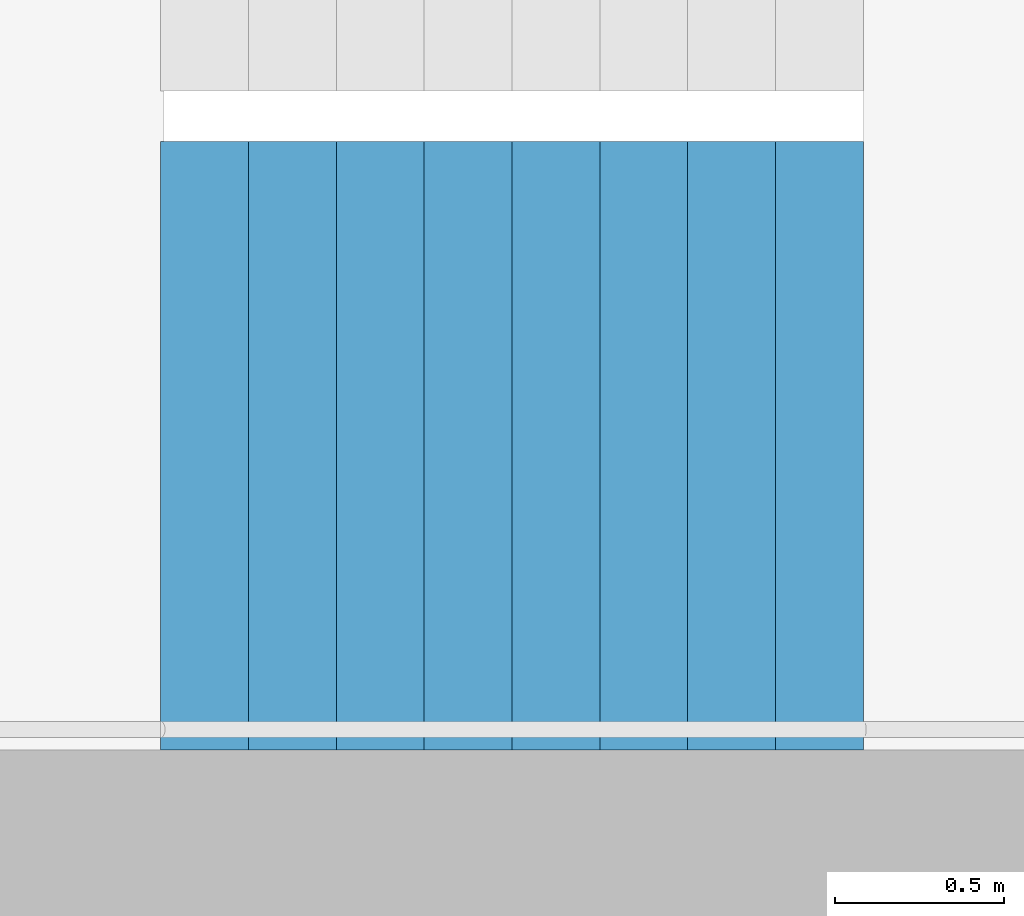
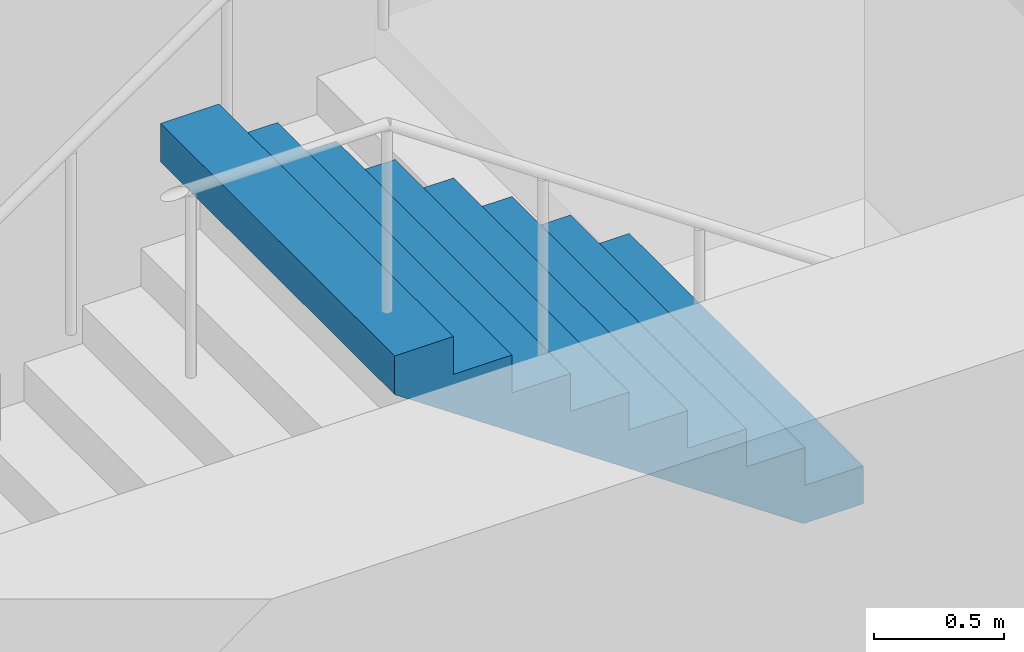
# One storey, part 26 of 37: 1 stair flight, 1 element without a shape of its own.
"""IFC4 building model written with IfcOpenShell, lengths in metres."""

from ifc_helpers import new_model, si_unit, direction, frame, origin, place, context, subcontext, project, spatial, triangles, material, type_object, element, aggregate, save


model = new_model("IFC4")

# Units and contexts
model_context = context("Model", 3, precision=1e-05, world=origin(), true_north=direction((0.0, 1.0)))
body_context = subcontext(model_context, "Body", "Model", "MODEL_VIEW")
ifc_project = project(units=[si_unit("LENGTHUNIT", "METRE"), si_unit("AREAUNIT", "SQUARE_METRE"), si_unit("VOLUMEUNIT", "CUBIC_METRE"), si_unit("PLANEANGLEUNIT", "RADIAN"), si_unit("MASSUNIT", "GRAM", prefix="KILO")], contexts=[model_context])

# Site, building, storey
site_placement = place(None, origin())
site = spatial("IfcSite", under=ifc_project, at=site_placement, CompositionType="ELEMENT")
building_placement = place(site_placement, origin())
building = spatial("IfcBuilding", under=site, at=building_placement, Name="Hakoniwa Tower and Hamabe Station Hall", CompositionType="ELEMENT")
storey_placement = place(building_placement, frame((0.0, 0.0, 39.0)))
storey = spatial("IfcBuildingStorey", under=building, at=storey_placement, Name="L10", CompositionType="ELEMENT", Elevation=39.0)

# Stair, stair flight
ifc_material_1 = material(Name="Concrete C40", Category="concrete")
stair_type = type_object("IfcStairType", Name="ESCAPE STAIR 1800", PredefinedType="HALF_TURN_STAIR", material=ifc_material_1)
stair_placement = place(storey_placement, origin())
stair = element("IfcStair", 1, at=stair_placement, inside=storey, type_object=stair_type, Name="Escape stair ST-4 L10", PredefinedType="HALF_TURN_STAIR")
ifc_material_2 = material(Name="Concrete C40", Category="concrete")
stair_flight_type = type_object("IfcStairFlightType", Name="STAIR FLIGHT 1800", PredefinedType="STRAIGHT", material=ifc_material_2)
stair_flight_placement = place(storey_placement, frame((25.47998046875, -6.60009765625, 1.60009765625), z_axis=(0.0, 0.0, 1.0), x_axis=(-1.0, 0.0, 0.0)))
stair_flight = element("IfcStairFlight", 2, at=stair_flight_placement, type_object=stair_flight_type, Name="ST-4 flight 2", NumberOfRisers=9, NumberOfTreads=8, PredefinedType="STRAIGHT", RiserHeight=0.177777778, TreadLength=0.26, context=body_context, shape_type="Tessellation", body=[
    triangles([(0.0, 0.89990234375, 0.0), (0.260009765625, 0.89990234375, 0.0), (0.265625, 0.89990234375, 0.0), (0.52001953125, 0.89990234375, 0.174072265625), (0.780029296875, 0.89990234375, 0.351806640625), (1.0400390625, 0.89990234375, 0.529541015625), (1.300048828125, 0.89990234375, 0.707275390625), (1.56005859375, 0.89990234375, 0.885009765625), (1.820068359375, 0.89990234375, 1.062744140625), (2.080078125, 0.89990234375, 1.24072265625), (2.080078125, 0.89990234375, 1.422119140625), (1.820068359375, 0.89990234375, 1.422119140625), (1.820068359375, 0.89990234375, 1.244384765625), (1.56005859375, 0.89990234375, 1.244384765625), (1.56005859375, 0.89990234375, 1.066650390625), (1.300048828125, 0.89990234375, 1.066650390625), (1.300048828125, 0.89990234375, 0.888916015625), (1.0400390625, 0.89990234375, 0.888916015625), (1.0400390625, 0.89990234375, 0.711181640625), (0.780029296875, 0.89990234375, 0.711181640625), (0.780029296875, 0.89990234375, 0.533447265625), (0.52001953125, 0.89990234375, 0.533447265625), (0.52001953125, 0.89990234375, 0.35546875), (0.265625, 0.89990234375, 0.35546875), (0.260009765625, 0.89990234375, 0.35546875), (0.260009765625, 0.89990234375, 0.177734375), (0.0, 0.89990234375, 0.177734375), (0.0, 0.06005859375, 0.0), (0.260009765625, 0.06005859375, 0.0), (0.265625, 0.06005859375, 0.0), (0.52001953125, 0.06005859375, 0.174072265625), (0.780029296875, 0.06005859375, 0.351806640625), (1.0400390625, 0.06005859375, 0.529541015625), (1.300048828125, 0.06005859375, 0.707275390625), (1.56005859375, 0.06005859375, 0.885009765625), (1.820068359375, 0.06005859375, 1.062744140625), (2.080078125, 0.06005859375, 1.24072265625), (2.080078125, 0.06005859375, 1.422119140625), (1.820068359375, 0.06005859375, 1.422119140625), (1.820068359375, 0.06005859375, 1.244384765625), (1.56005859375, 0.06005859375, 1.244384765625), (1.56005859375, 0.06005859375, 1.066650390625), (1.300048828125, 0.06005859375, 1.066650390625), (1.300048828125, 0.06005859375, 0.888916015625), (1.0400390625, 0.06005859375, 0.888916015625), (1.0400390625, 0.06005859375, 0.711181640625), (0.780029296875, 0.06005859375, 0.711181640625), (0.780029296875, 0.06005859375, 0.533447265625), (0.52001953125, 0.06005859375, 0.533447265625), (0.52001953125, 0.06005859375, 0.35546875), (0.265625, 0.06005859375, 0.35546875), (0.260009765625, 0.06005859375, 0.35546875), (0.260009765625, 0.06005859375, 0.177734375), (0.0, 0.06005859375, 0.177734375), (0.0, 0.04296875, 0.0), (0.260009765625, 0.04296875, 0.0), (0.265625, 0.04296875, 0.0), (0.52001953125, 0.04296875, 0.174072265625), (0.780029296875, 0.04296875, 0.351806640625), (1.0400390625, 0.04296875, 0.529541015625), (1.300048828125, 0.04296875, 0.707275390625), (1.56005859375, 0.04296875, 0.885009765625), (1.820068359375, 0.04296875, 1.062744140625), (2.080078125, 0.04296875, 1.24072265625), (2.080078125, 0.04296875, 1.422119140625), (1.820068359375, 0.04296875, 1.422119140625), (1.820068359375, 0.04296875, 1.244384765625), (1.56005859375, 0.04296875, 1.244384765625), (1.56005859375, 0.04296875, 1.066650390625), (1.300048828125, 0.04296875, 1.066650390625), (1.300048828125, 0.04296875, 0.888916015625), (1.0400390625, 0.04296875, 0.888916015625), (1.0400390625, 0.04296875, 0.711181640625), (0.780029296875, 0.04296875, 0.711181640625), (0.780029296875, 0.04296875, 0.533447265625), (0.52001953125, 0.04296875, 0.533447265625), (0.52001953125, 0.04296875, 0.35546875), (0.265625, 0.04296875, 0.35546875), (0.260009765625, 0.04296875, 0.35546875), (0.260009765625, 0.04296875, 0.177734375), (0.0, 0.04296875, 0.177734375), (0.0, 0.025634765625, 0.0), (0.260009765625, 0.025634765625, 0.0), (0.265625, 0.025634765625, 0.0), (0.52001953125, 0.025634765625, 0.174072265625), (0.780029296875, 0.025634765625, 0.351806640625), (1.0400390625, 0.025634765625, 0.529541015625), (1.300048828125, 0.025634765625, 0.707275390625), (1.56005859375, 0.025634765625, 0.885009765625), (1.820068359375, 0.025634765625, 1.062744140625), (2.080078125, 0.025634765625, 1.24072265625), (2.080078125, 0.025634765625, 1.422119140625), (1.820068359375, 0.025634765625, 1.422119140625), (1.820068359375, 0.025634765625, 1.244384765625), (1.56005859375, 0.025634765625, 1.244384765625), (1.56005859375, 0.025634765625, 1.066650390625), (1.300048828125, 0.025634765625, 1.066650390625), (1.300048828125, 0.025634765625, 0.888916015625), (1.0400390625, 0.025634765625, 0.888916015625), (1.0400390625, 0.025634765625, 0.711181640625), (0.780029296875, 0.025634765625, 0.711181640625), (0.780029296875, 0.025634765625, 0.533447265625), (0.52001953125, 0.025634765625, 0.533447265625), (0.52001953125, 0.025634765625, 0.35546875), (0.265625, 0.025634765625, 0.35546875), (0.260009765625, 0.025634765625, 0.35546875), (0.260009765625, 0.025634765625, 0.177734375), (0.0, 0.025634765625, 0.177734375), (0.0, 0.008544921875, 0.0), (0.260009765625, 0.008544921875, 0.0), (0.265625, 0.008544921875, 0.0), (0.52001953125, 0.008544921875, 0.174072265625), (0.780029296875, 0.008544921875, 0.351806640625), (1.0400390625, 0.008544921875, 0.529541015625), (1.300048828125, 0.008544921875, 0.707275390625), (1.56005859375, 0.008544921875, 0.885009765625), (1.820068359375, 0.008544921875, 1.062744140625), (2.080078125, 0.008544921875, 1.24072265625), (2.080078125, 0.008544921875, 1.422119140625), (1.820068359375, 0.008544921875, 1.422119140625), (1.820068359375, 0.008544921875, 1.244384765625), (1.56005859375, 0.008544921875, 1.244384765625), (1.56005859375, 0.008544921875, 1.066650390625), (1.300048828125, 0.008544921875, 1.066650390625), (1.300048828125, 0.008544921875, 0.888916015625), (1.0400390625, 0.008544921875, 0.888916015625), (1.0400390625, 0.008544921875, 0.711181640625), (0.780029296875, 0.008544921875, 0.711181640625), (0.780029296875, 0.008544921875, 0.533447265625), (0.52001953125, 0.008544921875, 0.533447265625), (0.52001953125, 0.008544921875, 0.35546875), (0.265625, 0.008544921875, 0.35546875), (0.260009765625, 0.008544921875, 0.35546875), (0.260009765625, 0.008544921875, 0.177734375), (0.0, 0.008544921875, 0.177734375), (0.0, -0.008544921875, 0.0), (0.260009765625, -0.008544921875, 0.0), (0.265625, -0.008544921875, 0.0), (0.52001953125, -0.008544921875, 0.174072265625), (0.780029296875, -0.008544921875, 0.351806640625), (1.0400390625, -0.008544921875, 0.529541015625), (1.300048828125, -0.008544921875, 0.707275390625), (1.56005859375, -0.008544921875, 0.885009765625), (1.820068359375, -0.008544921875, 1.062744140625), (2.080078125, -0.008544921875, 1.24072265625), (2.080078125, -0.008544921875, 1.422119140625), (1.820068359375, -0.008544921875, 1.422119140625), (1.820068359375, -0.008544921875, 1.244384765625), (1.56005859375, -0.008544921875, 1.244384765625), (1.56005859375, -0.008544921875, 1.066650390625), (1.300048828125, -0.008544921875, 1.066650390625), (1.300048828125, -0.008544921875, 0.888916015625), (1.0400390625, -0.008544921875, 0.888916015625), (1.0400390625, -0.008544921875, 0.711181640625), (0.780029296875, -0.008544921875, 0.711181640625), (0.780029296875, -0.008544921875, 0.533447265625), (0.52001953125, -0.008544921875, 0.533447265625), (0.52001953125, -0.008544921875, 0.35546875), (0.265625, -0.008544921875, 0.35546875), (0.260009765625, -0.008544921875, 0.35546875), (0.260009765625, -0.008544921875, 0.177734375), (0.0, -0.008544921875, 0.177734375), (0.0, -0.025634765625, 0.0), (0.260009765625, -0.025634765625, 0.0), (0.265625, -0.025634765625, 0.0), (0.52001953125, -0.025634765625, 0.174072265625), (0.780029296875, -0.025634765625, 0.351806640625), (1.0400390625, -0.025634765625, 0.529541015625), (1.300048828125, -0.025634765625, 0.707275390625), (1.56005859375, -0.025634765625, 0.885009765625), (1.820068359375, -0.025634765625, 1.062744140625), (2.080078125, -0.025634765625, 1.24072265625), (2.080078125, -0.025634765625, 1.422119140625), (1.820068359375, -0.025634765625, 1.422119140625), (1.820068359375, -0.025634765625, 1.244384765625), (1.56005859375, -0.025634765625, 1.244384765625), (1.56005859375, -0.025634765625, 1.066650390625), (1.300048828125, -0.025634765625, 1.066650390625), (1.300048828125, -0.025634765625, 0.888916015625), (1.0400390625, -0.025634765625, 0.888916015625), (1.0400390625, -0.025634765625, 0.711181640625), (0.780029296875, -0.025634765625, 0.711181640625), (0.780029296875, -0.025634765625, 0.533447265625), (0.52001953125, -0.025634765625, 0.533447265625), (0.52001953125, -0.025634765625, 0.35546875), (0.265625, -0.025634765625, 0.35546875), (0.260009765625, -0.025634765625, 0.35546875), (0.260009765625, -0.025634765625, 0.177734375), (0.0, -0.025634765625, 0.177734375), (0.0, -0.04296875, 0.0), (0.260009765625, -0.04296875, 0.0), (0.265625, -0.04296875, 0.0), (0.52001953125, -0.04296875, 0.174072265625), (0.780029296875, -0.04296875, 0.351806640625), (1.0400390625, -0.04296875, 0.529541015625), (1.300048828125, -0.04296875, 0.707275390625), (1.56005859375, -0.04296875, 0.885009765625), (1.820068359375, -0.04296875, 1.062744140625), (2.080078125, -0.04296875, 1.24072265625), (2.080078125, -0.04296875, 1.422119140625), (1.820068359375, -0.04296875, 1.422119140625), (1.820068359375, -0.04296875, 1.244384765625), (1.56005859375, -0.04296875, 1.244384765625), (1.56005859375, -0.04296875, 1.066650390625), (1.300048828125, -0.04296875, 1.066650390625), (1.300048828125, -0.04296875, 0.888916015625), (1.0400390625, -0.04296875, 0.888916015625), (1.0400390625, -0.04296875, 0.711181640625), (0.780029296875, -0.04296875, 0.711181640625), (0.780029296875, -0.04296875, 0.533447265625), (0.52001953125, -0.04296875, 0.533447265625), (0.52001953125, -0.04296875, 0.35546875), (0.265625, -0.04296875, 0.35546875), (0.260009765625, -0.04296875, 0.35546875), (0.260009765625, -0.04296875, 0.177734375), (0.0, -0.04296875, 0.177734375), (0.0, -0.06005859375, 0.0), (0.260009765625, -0.06005859375, 0.0), (0.265625, -0.06005859375, 0.0), (0.52001953125, -0.06005859375, 0.174072265625), (0.780029296875, -0.06005859375, 0.351806640625), (1.0400390625, -0.06005859375, 0.529541015625), (1.300048828125, -0.06005859375, 0.707275390625), (1.56005859375, -0.06005859375, 0.885009765625), (1.820068359375, -0.06005859375, 1.062744140625), (2.080078125, -0.06005859375, 1.24072265625), (2.080078125, -0.06005859375, 1.422119140625), (1.820068359375, -0.06005859375, 1.422119140625), (1.820068359375, -0.06005859375, 1.244384765625), (1.56005859375, -0.06005859375, 1.244384765625), (1.56005859375, -0.06005859375, 1.066650390625), (1.300048828125, -0.06005859375, 1.066650390625), (1.300048828125, -0.06005859375, 0.888916015625), (1.0400390625, -0.06005859375, 0.888916015625), (1.0400390625, -0.06005859375, 0.711181640625), (0.780029296875, -0.06005859375, 0.711181640625), (0.780029296875, -0.06005859375, 0.533447265625), (0.52001953125, -0.06005859375, 0.533447265625), (0.52001953125, -0.06005859375, 0.35546875), (0.265625, -0.06005859375, 0.35546875), (0.260009765625, -0.06005859375, 0.35546875), (0.260009765625, -0.06005859375, 0.177734375), (0.0, -0.06005859375, 0.177734375), (0.0, -0.89990234375, 0.0), (0.260009765625, -0.89990234375, 0.0), (0.265625, -0.89990234375, 0.0), (0.52001953125, -0.89990234375, 0.174072265625), (0.780029296875, -0.89990234375, 0.351806640625), (1.0400390625, -0.89990234375, 0.529541015625), (1.300048828125, -0.89990234375, 0.707275390625), (1.56005859375, -0.89990234375, 0.885009765625), (1.820068359375, -0.89990234375, 1.062744140625), (2.080078125, -0.89990234375, 1.24072265625), (2.080078125, -0.89990234375, 1.422119140625), (1.820068359375, -0.89990234375, 1.422119140625), (1.820068359375, -0.89990234375, 1.244384765625), (1.56005859375, -0.89990234375, 1.244384765625), (1.56005859375, -0.89990234375, 1.066650390625), (1.300048828125, -0.89990234375, 1.066650390625), (1.300048828125, -0.89990234375, 0.888916015625), (1.0400390625, -0.89990234375, 0.888916015625), (1.0400390625, -0.89990234375, 0.711181640625), (0.780029296875, -0.89990234375, 0.711181640625), (0.780029296875, -0.89990234375, 0.533447265625), (0.52001953125, -0.89990234375, 0.533447265625), (0.52001953125, -0.89990234375, 0.35546875), (0.265625, -0.89990234375, 0.35546875), (0.260009765625, -0.89990234375, 0.35546875), (0.260009765625, -0.89990234375, 0.177734375), (0.0, -0.89990234375, 0.177734375)], [[2, 27, 26], [245, 269, 270], [2, 1, 27], [245, 270, 244], [3, 25, 24], [246, 267, 268], [3, 26, 25], [246, 268, 269], [3, 2, 26], [246, 269, 245], [4, 24, 23], [247, 266, 267], [4, 3, 24], [247, 267, 246], [5, 22, 21], [248, 264, 265], [5, 23, 22], [248, 265, 266], [5, 4, 23], [248, 266, 247], [6, 20, 19], [249, 262, 263], [6, 21, 20], [249, 263, 264], [6, 5, 21], [249, 264, 248], [7, 18, 17], [250, 260, 261], [7, 19, 18], [250, 261, 262], [7, 6, 19], [250, 262, 249], [8, 16, 15], [251, 258, 259], [8, 17, 16], [251, 259, 260], [8, 7, 17], [251, 260, 250], [9, 14, 13], [252, 256, 257], [9, 15, 14], [252, 257, 258], [9, 8, 15], [252, 258, 251], [10, 12, 11], [253, 254, 255], [10, 13, 12], [253, 255, 256], [10, 9, 13], [253, 256, 252], [1, 2, 29], [1, 29, 28], [28, 29, 56], [28, 56, 55], [55, 56, 83], [55, 83, 82], [82, 83, 110], [82, 110, 109], [109, 110, 137], [109, 137, 136], [136, 137, 164], [136, 164, 163], [163, 164, 191], [163, 191, 190], [190, 191, 218], [190, 218, 217], [217, 218, 245], [217, 245, 244], [2, 3, 30], [2, 30, 29], [29, 30, 57], [29, 57, 56], [56, 57, 84], [56, 84, 83], [83, 84, 111], [83, 111, 110], [110, 111, 138], [110, 138, 137], [137, 138, 165], [137, 165, 164], [164, 165, 192], [164, 192, 191], [191, 192, 219], [191, 219, 218], [218, 219, 246], [218, 246, 245], [3, 4, 31], [3, 31, 30], [30, 31, 58], [30, 58, 57], [57, 58, 85], [57, 85, 84], [84, 85, 112], [84, 112, 111], [111, 112, 139], [111, 139, 138], [138, 139, 166], [138, 166, 165], [165, 166, 193], [165, 193, 192], [192, 193, 220], [192, 220, 219], [219, 220, 247], [219, 247, 246], [4, 5, 32], [4, 32, 31], [31, 32, 59], [31, 59, 58], [58, 59, 86], [58, 86, 85], [85, 86, 113], [85, 113, 112], [112, 113, 140], [112, 140, 139], [139, 140, 167], [139, 167, 166], [166, 167, 194], [166, 194, 193], [193, 194, 221], [193, 221, 220], [220, 221, 248], [220, 248, 247], [5, 6, 33], [5, 33, 32], [32, 33, 60], [32, 60, 59], [59, 60, 87], [59, 87, 86], [86, 87, 114], [86, 114, 113], [113, 114, 141], [113, 141, 140], [140, 141, 168], [140, 168, 167], [167, 168, 195], [167, 195, 194], [194, 195, 222], [194, 222, 221], [221, 222, 249], [221, 249, 248], [6, 7, 34], [6, 34, 33], [33, 34, 61], [33, 61, 60], [60, 61, 88], [60, 88, 87], [87, 88, 115], [87, 115, 114], [114, 115, 142], [114, 142, 141], [141, 142, 169], [141, 169, 168], [168, 169, 196], [168, 196, 195], [195, 196, 223], [195, 223, 222], [222, 223, 250], [222, 250, 249], [7, 8, 35], [7, 35, 34], [34, 35, 62], [34, 62, 61], [61, 62, 89], [61, 89, 88], [88, 89, 116], [88, 116, 115], [115, 116, 143], [115, 143, 142], [142, 143, 170], [142, 170, 169], [169, 170, 197], [169, 197, 196], [196, 197, 224], [196, 224, 223], [223, 224, 251], [223, 251, 250], [8, 9, 36], [8, 36, 35], [35, 36, 63], [35, 63, 62], [62, 63, 90], [62, 90, 89], [89, 90, 117], [89, 117, 116], [116, 117, 144], [116, 144, 143], [143, 144, 171], [143, 171, 170], [170, 171, 198], [170, 198, 197], [197, 198, 225], [197, 225, 224], [224, 225, 252], [224, 252, 251], [9, 10, 37], [9, 37, 36], [36, 37, 64], [36, 64, 63], [63, 64, 91], [63, 91, 90], [90, 91, 118], [90, 118, 117], [117, 118, 145], [117, 145, 144], [144, 145, 172], [144, 172, 171], [171, 172, 199], [171, 199, 198], [198, 199, 226], [198, 226, 225], [225, 226, 253], [225, 253, 252], [10, 11, 38], [10, 38, 37], [37, 38, 65], [37, 65, 64], [64, 65, 92], [64, 92, 91], [91, 92, 119], [91, 119, 118], [118, 119, 146], [118, 146, 145], [145, 146, 173], [145, 173, 172], [172, 173, 200], [172, 200, 199], [199, 200, 227], [199, 227, 226], [226, 227, 254], [226, 254, 253], [11, 12, 39], [11, 39, 38], [38, 39, 66], [38, 66, 65], [65, 66, 93], [65, 93, 92], [92, 93, 120], [92, 120, 119], [119, 120, 147], [119, 147, 146], [146, 147, 174], [146, 174, 173], [173, 174, 201], [173, 201, 200], [200, 201, 228], [200, 228, 227], [227, 228, 255], [227, 255, 254], [12, 13, 40], [12, 40, 39], [39, 40, 67], [39, 67, 66], [66, 67, 94], [66, 94, 93], [93, 94, 121], [93, 121, 120], [120, 121, 148], [120, 148, 147], [147, 148, 175], [147, 175, 174], [174, 175, 202], [174, 202, 201], [201, 202, 229], [201, 229, 228], [228, 229, 256], [228, 256, 255], [13, 14, 41], [13, 41, 40], [40, 41, 68], [40, 68, 67], [67, 68, 95], [67, 95, 94], [94, 95, 122], [94, 122, 121], [121, 122, 149], [121, 149, 148], [148, 149, 176], [148, 176, 175], [175, 176, 203], [175, 203, 202], [202, 203, 230], [202, 230, 229], [229, 230, 257], [229, 257, 256], [14, 15, 42], [14, 42, 41], [41, 42, 69], [41, 69, 68], [68, 69, 96], [68, 96, 95], [95, 96, 123], [95, 123, 122], [122, 123, 150], [122, 150, 149], [149, 150, 177], [149, 177, 176], [176, 177, 204], [176, 204, 203], [203, 204, 231], [203, 231, 230], [230, 231, 258], [230, 258, 257], [15, 16, 43], [15, 43, 42], [42, 43, 70], [42, 70, 69], [69, 70, 97], [69, 97, 96], [96, 97, 124], [96, 124, 123], [123, 124, 151], [123, 151, 150], [150, 151, 178], [150, 178, 177], [177, 178, 205], [177, 205, 204], [204, 205, 232], [204, 232, 231], [231, 232, 259], [231, 259, 258], [16, 17, 44], [16, 44, 43], [43, 44, 71], [43, 71, 70], [70, 71, 98], [70, 98, 97], [97, 98, 125], [97, 125, 124], [124, 125, 152], [124, 152, 151], [151, 152, 179], [151, 179, 178], [178, 179, 206], [178, 206, 205], [205, 206, 233], [205, 233, 232], [232, 233, 260], [232, 260, 259], [17, 18, 45], [17, 45, 44], [44, 45, 72], [44, 72, 71], [71, 72, 99], [71, 99, 98], [98, 99, 126], [98, 126, 125], [125, 126, 153], [125, 153, 152], [152, 153, 180], [152, 180, 179], [179, 180, 207], [179, 207, 206], [206, 207, 234], [206, 234, 233], [233, 234, 261], [233, 261, 260], [18, 19, 46], [18, 46, 45], [45, 46, 73], [45, 73, 72], [72, 73, 100], [72, 100, 99], [99, 100, 127], [99, 127, 126], [126, 127, 154], [126, 154, 153], [153, 154, 181], [153, 181, 180], [180, 181, 208], [180, 208, 207], [207, 208, 235], [207, 235, 234], [234, 235, 262], [234, 262, 261], [19, 20, 47], [19, 47, 46], [46, 47, 74], [46, 74, 73], [73, 74, 101], [73, 101, 100], [100, 101, 128], [100, 128, 127], [127, 128, 155], [127, 155, 154], [154, 155, 182], [154, 182, 181], [181, 182, 209], [181, 209, 208], [208, 209, 236], [208, 236, 235], [235, 236, 263], [235, 263, 262], [20, 21, 48], [20, 48, 47], [47, 48, 75], [47, 75, 74], [74, 75, 102], [74, 102, 101], [101, 102, 129], [101, 129, 128], [128, 129, 156], [128, 156, 155], [155, 156, 183], [155, 183, 182], [182, 183, 210], [182, 210, 209], [209, 210, 237], [209, 237, 236], [236, 237, 264], [236, 264, 263], [21, 22, 49], [21, 49, 48], [48, 49, 76], [48, 76, 75], [75, 76, 103], [75, 103, 102], [102, 103, 130], [102, 130, 129], [129, 130, 157], [129, 157, 156], [156, 157, 184], [156, 184, 183], [183, 184, 211], [183, 211, 210], [210, 211, 238], [210, 238, 237], [237, 238, 265], [237, 265, 264], [22, 23, 50], [22, 50, 49], [49, 50, 77], [49, 77, 76], [76, 77, 104], [76, 104, 103], [103, 104, 131], [103, 131, 130], [130, 131, 158], [130, 158, 157], [157, 158, 185], [157, 185, 184], [184, 185, 212], [184, 212, 211], [211, 212, 239], [211, 239, 238], [238, 239, 266], [238, 266, 265], [23, 24, 51], [23, 51, 50], [50, 51, 78], [50, 78, 77], [77, 78, 105], [77, 105, 104], [104, 105, 132], [104, 132, 131], [131, 132, 159], [131, 159, 158], [158, 159, 186], [158, 186, 185], [185, 186, 213], [185, 213, 212], [212, 213, 240], [212, 240, 239], [239, 240, 267], [239, 267, 266], [24, 25, 52], [24, 52, 51], [51, 52, 79], [51, 79, 78], [78, 79, 106], [78, 106, 105], [105, 106, 133], [105, 133, 132], [132, 133, 160], [132, 160, 159], [159, 160, 187], [159, 187, 186], [186, 187, 214], [186, 214, 213], [213, 214, 241], [213, 241, 240], [240, 241, 268], [240, 268, 267], [25, 26, 53], [25, 53, 52], [52, 53, 80], [52, 80, 79], [79, 80, 107], [79, 107, 106], [106, 107, 134], [106, 134, 133], [133, 134, 161], [133, 161, 160], [160, 161, 188], [160, 188, 187], [187, 188, 215], [187, 215, 214], [214, 215, 242], [214, 242, 241], [241, 242, 269], [241, 269, 268], [26, 27, 54], [26, 54, 53], [53, 54, 81], [53, 81, 80], [80, 81, 108], [80, 108, 107], [107, 108, 135], [107, 135, 134], [134, 135, 162], [134, 162, 161], [161, 162, 189], [161, 189, 188], [188, 189, 216], [188, 216, 215], [215, 216, 243], [215, 243, 242], [242, 243, 270], [242, 270, 269], [27, 1, 28], [27, 28, 54], [54, 28, 55], [54, 55, 81], [81, 55, 82], [81, 82, 108], [108, 82, 109], [108, 109, 135], [135, 109, 136], [135, 136, 162], [162, 136, 163], [162, 163, 189], [189, 163, 190], [189, 190, 216], [216, 190, 217], [216, 217, 243], [243, 217, 244], [243, 244, 270]], closed=True),
])
aggregate(stair, [stair_flight])

save(model, "model.ifc")
